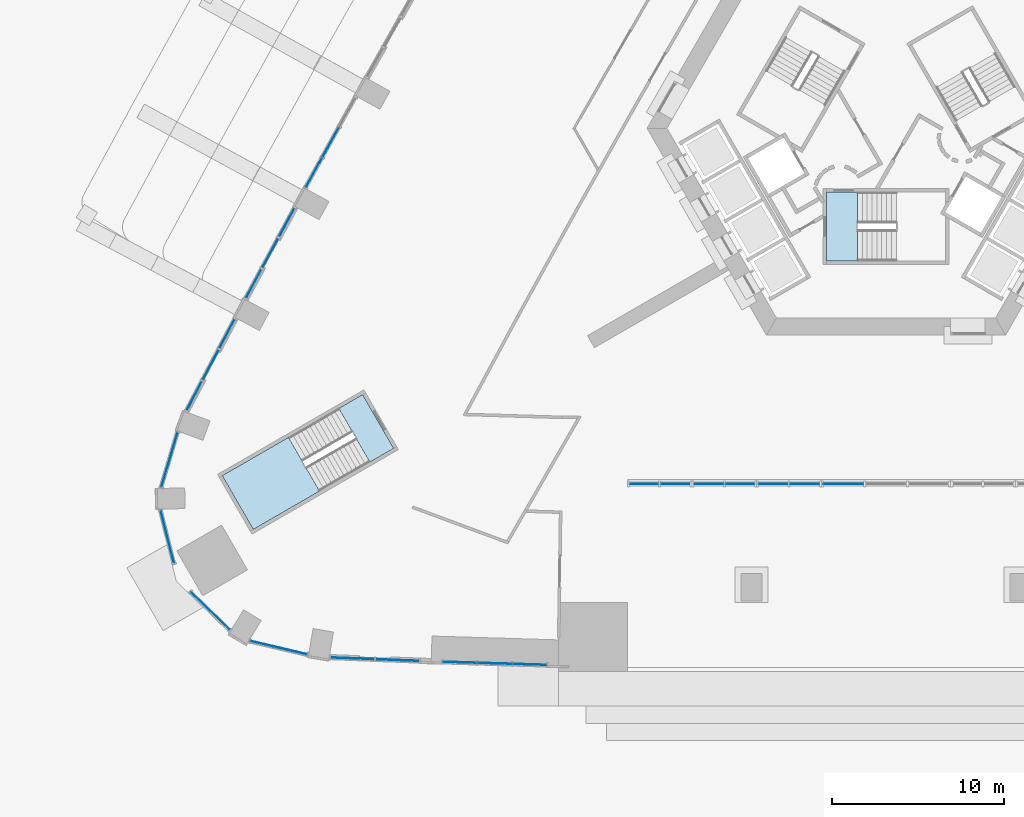
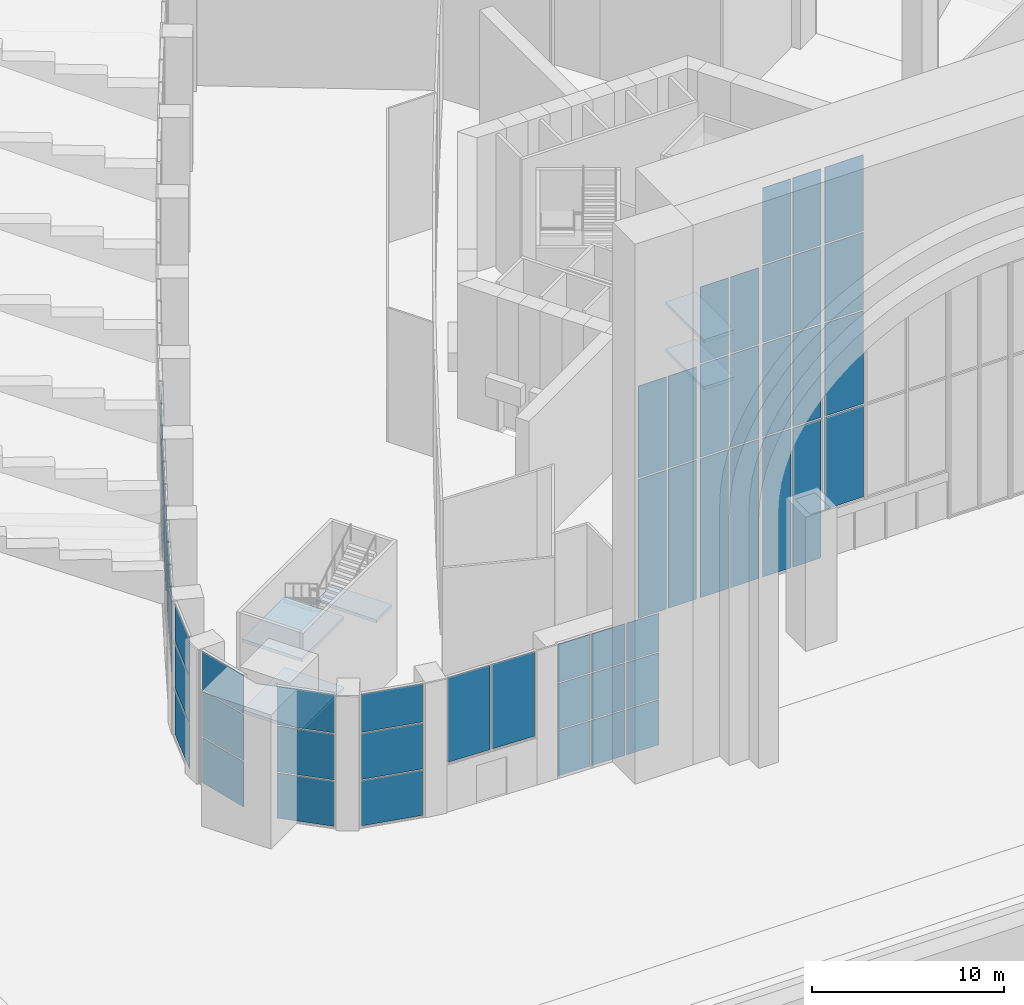
# One storey, part 10 of 36: 57 plates, 5 slabs, 15 elements without a shape of their own.
"""IFC4 building model written with IfcOpenShell, lengths in metres."""

from ifc_helpers import new_model, si_unit, direction, frame, origin, origin_2d, place, context, subcontext, project, spatial, polyline, rectangle, outline, extrude, material, layer, layer_set, type_object, element, aggregate, save


model = new_model("IFC4")

# Units and contexts
model_context = context("Model", 3, precision=1e-05, world=origin(), true_north=direction((0.0, 1.0)))
body_context = subcontext(model_context, "Body", "Model", "MODEL_VIEW")
ifc_project = project(units=[si_unit("LENGTHUNIT", "METRE"), si_unit("AREAUNIT", "SQUARE_METRE"), si_unit("VOLUMEUNIT", "CUBIC_METRE"), si_unit("PLANEANGLEUNIT", "RADIAN"), si_unit("MASSUNIT", "GRAM", prefix="KILO")], contexts=[model_context])

# Site, building, storey
site_placement = place(None, origin())
site = spatial("IfcSite", under=ifc_project, at=site_placement, CompositionType="ELEMENT")
building_placement = place(site_placement, origin())
building = spatial("IfcBuilding", under=site, at=building_placement, Name="Entoto Arch Interchange Tower", CompositionType="ELEMENT")
storey_placement = place(building_placement, origin())
storey = spatial("IfcBuildingStorey", under=building, at=storey_placement, Name="L00", CompositionType="ELEMENT", Elevation=0.0)

# Stair, slabs
ifc_material_1 = material(Name="Concrete C40/50", Category="concrete")
stair_type_1 = type_object("IfcStairType", Name="EXIT STAIR RC 1800", PredefinedType="HALF_TURN_STAIR", material=ifc_material_1)
stair_1_placement = place(storey_placement, origin())
stair_1 = element("IfcStair", 1, at=stair_1_placement, inside=storey, type_object=stair_type_1, Name="L00 Exit stair S", PredefinedType="HALF_TURN_STAIR")
ifc_layer_1 = layer(ifc_material_1, 0.199951171875)
ifc_layer_set_1 = layer_set([ifc_layer_1], Name="Concrete C40/50")
slab_type = type_object("IfcSlabType", Name="EXIT STAIR LANDING RC 200", PredefinedType="LANDING", material=ifc_layer_set_1)
slab_1_placement = place(storey_placement, frame((0.0, 0.0, 2.800048828125)))
slab_1 = element("IfcSlab", 2, at=slab_1_placement, type_object=slab_type, Name="ST-S landing 2", PredefinedType="LANDING", context=body_context, shape_type="SweptSolid", body=[
    extrude(outline(polyline([(-3.449951171875, -5.199951171875), (-1.64990234375, -5.199951171875), (-1.64990234375, -1.199951171875), (-3.449951171875, -1.199951171875), (-3.449951171875, -5.199951171875)])), origin(), (0.0, 0.0, 1.0), 0.199951171875),
])
slab_2_placement = place(storey_placement, frame((0.0, 0.0, 5.800048828125)))
slab_2 = element("IfcSlab", 3, at=slab_2_placement, type_object=slab_type, Name="ST-S landing 4", PredefinedType="LANDING", context=body_context, shape_type="SweptSolid", body=[
    extrude(outline(polyline([(-3.449951171875, -5.199951171875), (-1.64990234375, -5.199951171875), (-1.64990234375, -1.199951171875), (-3.449951171875, -1.199951171875), (-3.449951171875, -5.199951171875)])), origin(), (0.0, 0.0, 1.0), 0.199951171875),
])
aggregate(stair_1, [slab_1, slab_2])

stair_type_2 = type_object("IfcStairType", Name="PODIUM EXIT STAIR RC 1600", PredefinedType="HALF_TURN_STAIR", material=ifc_material_1)
stair_2_placement = place(storey_placement, origin())
stair_2 = element("IfcStair", 4, at=stair_2_placement, inside=storey, type_object=stair_type_2, Name="L00 Podium exit stair south-west", PredefinedType="HALF_TURN_STAIR")
slab_3_placement = place(storey_placement, frame((0.0, 0.0, 2.050048828125)))
slab_3 = element("IfcSlab", 5, at=slab_3_placement, type_object=slab_type, Name="PST-SW landing 1", PredefinedType="LANDING", context=body_context, shape_type="SweptSolid", body=[
    extrude(outline(polyline([(-34.640380859375, -15.421142578125), (-38.485595703125, -17.64111328125), (-36.685546875, -20.7587890625), (-32.84033203125, -18.538818359375), (-34.640380859375, -15.421142578125)])), origin(), (0.0, 0.0, 1.0), 0.199951171875),
])
slab_4_placement = place(storey_placement, frame((0.0, 0.0, 4.300048828125)))
slab_4 = element("IfcSlab", 6, at=slab_4_placement, type_object=slab_type, Name="PST-SW landing 2", PredefinedType="LANDING", context=body_context, shape_type="SweptSolid", body=[
    extrude(outline(polyline([(-30.344970703125, -12.941162109375), (-31.73046875, -13.7412109375), (-29.930419921875, -16.85888671875), (-28.544921875, -16.058837890625), (-30.344970703125, -12.941162109375)])), origin(), (0.0, 0.0, 1.0), 0.199951171875),
])
slab_5_placement = place(storey_placement, frame((0.0, 0.0, 6.550048828125)))
slab_5 = element("IfcSlab", 7, at=slab_5_placement, type_object=slab_type, Name="PST-SW landing 3", PredefinedType="LANDING", context=body_context, shape_type="SweptSolid", body=[
    extrude(outline(polyline([(-34.640380859375, -15.421142578125), (-38.485595703125, -17.64111328125), (-36.685546875, -20.7587890625), (-32.84033203125, -18.538818359375), (-34.640380859375, -15.421142578125)])), origin(), (0.0, 0.0, 1.0), 0.199951171875),
])
aggregate(stair_2, [slab_3, slab_4, slab_5])

# Curtain wall, plates
ifc_material_2 = material(Name="Aluminium, anodised", Category="aluminium")
curtain_wall_type_1 = type_object("IfcCurtainWallType", Name="CURTAIN WALL ARCH SCREEN", PredefinedType="NOTDEFINED", material=ifc_material_2)
curtain_wall_1_placement = place(storey_placement, origin())
curtain_wall_1 = element("IfcCurtainWall", 8, at=curtain_wall_1_placement, inside=storey, type_object=curtain_wall_type_1, Name="Arch screen glazing 1", PredefinedType="NOTDEFINED")
ifc_material_3 = material(Name="Clear glass, low-e double glazed", Category="glass")
ifc_layer_2 = layer(ifc_material_3, 0.035888671875)
ifc_layer_set_2 = layer_set([ifc_layer_2], Name="Clear glass, low-e double glazed")
plate_type_1 = type_object("IfcPlateType", Name="GLAZING PANEL ARCH SCREEN 36", PredefinedType="CURTAIN_PANEL", material=ifc_layer_set_2)
plate_1_placement = place(storey_placement, frame((-14.032470703125, -18.125, 0.099853515625), z_axis=(0.0, 0.0, 1.0), x_axis=(1.0, 0.0, 0.0)))
plate_1 = element("IfcPlate", 9, at=plate_1_placement, type_object=plate_type_1, Name="CWR panel 1.1", PredefinedType="CURTAIN_PANEL", context=body_context, shape_type="SweptSolid", body=[
    extrude(rectangle(XDim=1.695068359375, YDim=0.035888671875, at=origin_2d()), origin(), (0.0, 0.0, 1.0), 8.85009765625),
])
plate_2_placement = place(storey_placement, frame((-14.032470703125, -18.125, 9.050048828125), z_axis=(0.0, 0.0, 1.0), x_axis=(1.0, 0.0, 0.0)))
plate_2 = element("IfcPlate", 10, at=plate_2_placement, type_object=plate_type_1, Name="CWR panel 1.2", PredefinedType="CURTAIN_PANEL", context=body_context, shape_type="SweptSolid", body=[
    extrude(rectangle(XDim=1.695068359375, YDim=0.035888671875, at=origin_2d()), origin(), (0.0, 0.0, 1.0), 5.85009765625),
])
plate_3_placement = place(storey_placement, frame((-12.217529296875, -18.125, 0.099853515625), z_axis=(0.0, 0.0, 1.0), x_axis=(1.0, 0.0, 0.0)))
plate_3 = element("IfcPlate", 11, at=plate_3_placement, type_object=plate_type_1, Name="CWR panel 2.1", PredefinedType="CURTAIN_PANEL", context=body_context, shape_type="SweptSolid", body=[
    extrude(rectangle(XDim=1.695068359375, YDim=0.035888671875, at=origin_2d()), origin(), (0.0, 0.0, 1.0), 8.85009765625),
])
plate_4_placement = place(storey_placement, frame((-12.217529296875, -18.125, 9.050048828125), z_axis=(0.0, 0.0, 1.0), x_axis=(1.0, 0.0, 0.0)))
plate_4 = element("IfcPlate", 12, at=plate_4_placement, type_object=plate_type_1, Name="CWR panel 2.2", PredefinedType="CURTAIN_PANEL", context=body_context, shape_type="SweptSolid", body=[
    extrude(rectangle(XDim=1.695068359375, YDim=0.035888671875, at=origin_2d()), origin(), (0.0, 0.0, 1.0), 5.85009765625),
])
aggregate(curtain_wall_1, [plate_1, plate_2, plate_3, plate_4])

curtain_wall_2_placement = place(storey_placement, origin())
curtain_wall_2 = element("IfcCurtainWall", 13, at=curtain_wall_2_placement, inside=storey, type_object=curtain_wall_type_1, Name="Arch screen glazing 2", PredefinedType="NOTDEFINED")
plate_5_placement = place(storey_placement, frame((-10.282470703125, -18.125, 0.099853515625), z_axis=(0.0, 0.0, 1.0), x_axis=(1.0, 0.0, 0.0)))
plate_5 = element("IfcPlate", 14, at=plate_5_placement, type_object=plate_type_1, Name="CWR panel 1.1", PredefinedType="CURTAIN_PANEL", context=body_context, shape_type="SweptSolid", body=[
    extrude(rectangle(XDim=1.695068359375, YDim=0.035888671875, at=origin_2d()), origin(), (0.0, 0.0, 1.0), 8.85009765625),
])
plate_6_placement = place(storey_placement, frame((-10.282470703125, -18.125, 9.050048828125), z_axis=(0.0, 0.0, 1.0), x_axis=(1.0, 0.0, 0.0)))
plate_6 = element("IfcPlate", 15, at=plate_6_placement, type_object=plate_type_1, Name="CWR panel 1.2", PredefinedType="CURTAIN_PANEL", context=body_context, shape_type="SweptSolid", body=[
    extrude(rectangle(XDim=1.695068359375, YDim=0.035888671875, at=origin_2d()), origin(), (0.0, 0.0, 1.0), 5.89990234375),
])
plate_7_placement = place(storey_placement, frame((-10.282470703125, -18.125, 15.050048828125), z_axis=(0.0, 0.0, 1.0), x_axis=(1.0, 0.0, 0.0)))
plate_7 = element("IfcPlate", 16, at=plate_7_placement, type_object=plate_type_1, Name="CWR panel 1.3", PredefinedType="CURTAIN_PANEL", context=body_context, shape_type="SweptSolid", body=[
    extrude(rectangle(XDim=1.695068359375, YDim=0.035888671875, at=origin_2d()), origin(), (0.0, 0.0, 1.0), 4.85009765625),
])
plate_8_placement = place(storey_placement, frame((-8.467529296875, -18.125, 0.099853515625), z_axis=(0.0, 0.0, 1.0), x_axis=(1.0, 0.0, 0.0)))
plate_8 = element("IfcPlate", 17, at=plate_8_placement, type_object=plate_type_1, Name="CWR panel 2.1", PredefinedType="CURTAIN_PANEL", context=body_context, shape_type="SweptSolid", body=[
    extrude(rectangle(XDim=1.695068359375, YDim=0.035888671875, at=origin_2d()), origin(), (0.0, 0.0, 1.0), 8.85009765625),
])
plate_9_placement = place(storey_placement, frame((-8.467529296875, -18.125, 9.050048828125), z_axis=(0.0, 0.0, 1.0), x_axis=(1.0, 0.0, 0.0)))
plate_9 = element("IfcPlate", 18, at=plate_9_placement, type_object=plate_type_1, Name="CWR panel 2.2", PredefinedType="CURTAIN_PANEL", context=body_context, shape_type="SweptSolid", body=[
    extrude(rectangle(XDim=1.695068359375, YDim=0.035888671875, at=origin_2d()), origin(), (0.0, 0.0, 1.0), 5.89990234375),
])
plate_10_placement = place(storey_placement, frame((-8.467529296875, -18.125, 15.050048828125), z_axis=(0.0, 0.0, 1.0), x_axis=(1.0, 0.0, 0.0)))
plate_10 = element("IfcPlate", 19, at=plate_10_placement, type_object=plate_type_1, Name="CWR panel 2.3", PredefinedType="CURTAIN_PANEL", context=body_context, shape_type="SweptSolid", body=[
    extrude(rectangle(XDim=1.695068359375, YDim=0.035888671875, at=origin_2d()), origin(), (0.0, 0.0, 1.0), 4.85009765625),
])
aggregate(curtain_wall_2, [plate_5, plate_6, plate_7, plate_8, plate_9, plate_10])

curtain_wall_3_placement = place(storey_placement, origin())
curtain_wall_3 = element("IfcCurtainWall", 20, at=curtain_wall_3_placement, inside=storey, type_object=curtain_wall_type_1, Name="Arch screen glazing 3", PredefinedType="NOTDEFINED")
plate_11_placement = place(storey_placement, frame((-6.532470703125, -18.125, 0.099853515625), z_axis=(0.0, 0.0, 1.0), x_axis=(1.0, 0.0, 0.0)))
plate_11 = element("IfcPlate", 21, at=plate_11_placement, type_object=plate_type_1, Name="CWR panel 1.1", PredefinedType="CURTAIN_PANEL", context=body_context, shape_type="SweptSolid", body=[
    extrude(rectangle(XDim=1.695068359375, YDim=0.035888671875, at=origin_2d()), origin(), (0.0, 0.0, 1.0), 8.85009765625),
])
plate_12_placement = place(storey_placement, frame((-6.532470703125, -18.125, 9.050048828125), z_axis=(0.0, 0.0, 1.0), x_axis=(1.0, 0.0, 0.0)))
plate_12 = element("IfcPlate", 22, at=plate_12_placement, type_object=plate_type_1, Name="CWR panel 1.2", PredefinedType="CURTAIN_PANEL", context=body_context, shape_type="SweptSolid", body=[
    extrude(rectangle(XDim=1.695068359375, YDim=0.035888671875, at=origin_2d()), origin(), (0.0, 0.0, 1.0), 5.89990234375),
])
plate_13_placement = place(storey_placement, frame((-6.532470703125, -18.125, 15.050048828125), z_axis=(0.0, 0.0, 1.0), x_axis=(1.0, 0.0, 0.0)))
plate_13 = element("IfcPlate", 23, at=plate_13_placement, type_object=plate_type_1, Name="CWR panel 1.3", PredefinedType="CURTAIN_PANEL", context=body_context, shape_type="SweptSolid", body=[
    extrude(rectangle(XDim=1.695068359375, YDim=0.035888671875, at=origin_2d()), origin(), (0.0, 0.0, 1.0), 4.89990234375),
])
plate_14_placement = place(storey_placement, frame((-6.532470703125, -18.125, 20.050048828125), z_axis=(0.0, 0.0, 1.0), x_axis=(1.0, 0.0, 0.0)))
plate_14 = element("IfcPlate", 24, at=plate_14_placement, type_object=plate_type_1, Name="CWR panel 1.4", PredefinedType="CURTAIN_PANEL", context=body_context, shape_type="SweptSolid", body=[
    extrude(rectangle(XDim=1.695068359375, YDim=0.035888671875, at=origin_2d()), origin(), (0.0, 0.0, 1.0), 4.85009765625),
])
plate_15_placement = place(storey_placement, frame((-4.717529296875, -18.125, 0.099853515625), z_axis=(0.0, 0.0, 1.0), x_axis=(1.0, 0.0, 0.0)))
plate_15 = element("IfcPlate", 25, at=plate_15_placement, type_object=plate_type_1, Name="CWR panel 2.1", PredefinedType="CURTAIN_PANEL", context=body_context, shape_type="SweptSolid", body=[
    extrude(rectangle(XDim=1.695068359375, YDim=0.035888671875, at=origin_2d()), origin(), (0.0, 0.0, 1.0), 8.85009765625),
])
plate_16_placement = place(storey_placement, frame((-4.717529296875, -18.125, 9.050048828125), z_axis=(0.0, 0.0, 1.0), x_axis=(1.0, 0.0, 0.0)))
plate_16 = element("IfcPlate", 26, at=plate_16_placement, type_object=plate_type_1, Name="CWR panel 2.2", PredefinedType="CURTAIN_PANEL", context=body_context, shape_type="SweptSolid", body=[
    extrude(rectangle(XDim=1.695068359375, YDim=0.035888671875, at=origin_2d()), origin(), (0.0, 0.0, 1.0), 5.89990234375),
])
plate_17_placement = place(storey_placement, frame((-4.717529296875, -18.125, 15.050048828125), z_axis=(0.0, 0.0, 1.0), x_axis=(1.0, 0.0, 0.0)))
plate_17 = element("IfcPlate", 27, at=plate_17_placement, type_object=plate_type_1, Name="CWR panel 2.3", PredefinedType="CURTAIN_PANEL", context=body_context, shape_type="SweptSolid", body=[
    extrude(rectangle(XDim=1.695068359375, YDim=0.035888671875, at=origin_2d()), origin(), (0.0, 0.0, 1.0), 4.89990234375),
])
plate_18_placement = place(storey_placement, frame((-4.717529296875, -18.125, 20.050048828125), z_axis=(0.0, 0.0, 1.0), x_axis=(1.0, 0.0, 0.0)))
plate_18 = element("IfcPlate", 28, at=plate_18_placement, type_object=plate_type_1, Name="CWR panel 2.4", PredefinedType="CURTAIN_PANEL", context=body_context, shape_type="SweptSolid", body=[
    extrude(rectangle(XDim=1.695068359375, YDim=0.035888671875, at=origin_2d()), origin(), (0.0, 0.0, 1.0), 4.85009765625),
])
aggregate(curtain_wall_3, [plate_11, plate_12, plate_13, plate_14, plate_15, plate_16, plate_17, plate_18])

curtain_wall_4_placement = place(storey_placement, origin())
curtain_wall_4 = element("IfcCurtainWall", 29, at=curtain_wall_4_placement, inside=storey, type_object=curtain_wall_type_1, Name="Arch entrance glazing", PredefinedType="NOTDEFINED")
plate_19_placement = place(storey_placement, frame((-2.469970703125, -18.125, 3.099853515625), z_axis=(0.0, 0.0, 1.0), x_axis=(1.0, 0.0, 0.0)))
plate_19 = element("IfcPlate", 30, at=plate_19_placement, type_object=plate_type_1, Name="CWR panel 1.1", PredefinedType="CURTAIN_PANEL", context=body_context, shape_type="SweptSolid", body=[
    extrude(rectangle(XDim=2.320068359375, YDim=0.035888671875, at=origin_2d()), origin(), (0.0, 0.0, 1.0), 5.85009765625),
])
plate_20_placement = place(storey_placement, frame((-2.469970703125, -18.125, 9.050048828125), z_axis=(0.0, 0.0, 1.0), x_axis=(1.0, 0.0, 0.0)))
plate_20 = element("IfcPlate", 31, at=plate_20_placement, type_object=plate_type_1, Name="CWR panel 1.2", PredefinedType="CURTAIN_PANEL", context=body_context, shape_type="SweptSolid", body=[
    extrude(rectangle(XDim=2.320068359375, YDim=0.035888671875, at=origin_2d()), origin(), (0.0, 0.0, 1.0), 5.89990234375),
])
plate_21_placement = place(storey_placement, frame((-2.469970703125, -18.125, 15.050048828125), z_axis=(0.0, 0.0, 1.0), x_axis=(1.0, 0.0, 0.0)))
plate_21 = element("IfcPlate", 32, at=plate_21_placement, type_object=plate_type_1, Name="CWR panel 1.3", PredefinedType="CURTAIN_PANEL", context=body_context, shape_type="SweptSolid", body=[
    extrude(rectangle(XDim=2.320068359375, YDim=0.035888671875, at=origin_2d()), origin(), (0.0, 0.0, 1.0), 4.89990234375),
])
plate_22_placement = place(storey_placement, frame((-2.469970703125, -18.125, 20.050048828125), z_axis=(0.0, 0.0, 1.0), x_axis=(1.0, 0.0, 0.0)))
plate_22 = element("IfcPlate", 33, at=plate_22_placement, type_object=plate_type_1, Name="CWR panel 1.4", PredefinedType="CURTAIN_PANEL", context=body_context, shape_type="SweptSolid", body=[
    extrude(rectangle(XDim=2.320068359375, YDim=0.035888671875, at=origin_2d()), origin(), (0.0, 0.0, 1.0), 4.85009765625),
])
aggregate(curtain_wall_4, [plate_19, plate_20, plate_21, plate_22])

curtain_wall_type_2 = type_object("IfcCurtainWallType", Name="CURTAIN WALL GATE HALL", PredefinedType="NOTDEFINED", material=ifc_material_2)
curtain_wall_5_placement = place(storey_placement, origin())
curtain_wall_5 = element("IfcCurtainWall", 34, at=curtain_wall_5_placement, inside=storey, type_object=curtain_wall_type_2, Name="Gate Hall glazing S-01 L00", PredefinedType="NOTDEFINED")
ifc_layer_3 = layer(ifc_material_3, 0.030029296875)
ifc_layer_set_3 = layer_set([ifc_layer_3], Name="Clear glass, low-e double glazed")
plate_type_2 = type_object("IfcPlateType", Name="GLAZING PANEL GATE HALL 30", PredefinedType="CURTAIN_PANEL", material=ifc_layer_set_3)
plate_23_placement = place(storey_placement, frame((-30.931640625, -28.236083984375, 3.080078125), z_axis=(0.0, 0.0, 1.0), x_axis=(0.999233683462, -0.039141357085, 0.0)))
plate_23 = element("IfcPlate", 35, at=plate_23_placement, type_object=plate_type_2, Name="CWG panel 1.1", PredefinedType="CURTAIN_PANEL", context=body_context, shape_type="SweptSolid", body=[
    extrude(rectangle(XDim=2.507080078125, YDim=0.030029296875, at=origin_2d()), origin(), (0.0, 0.0, 1.0), 5.389892578125),
])
plate_24_placement = place(storey_placement, frame((-28.326416015625, -28.338134765625, 3.080078125), z_axis=(0.0, 0.0, 1.0), x_axis=(0.999233683462, -0.039141357085, 0.0)))
plate_24 = element("IfcPlate", 36, at=plate_24_placement, type_object=plate_type_2, Name="CWG panel 2.1", PredefinedType="CURTAIN_PANEL", context=body_context, shape_type="SweptSolid", body=[
    extrude(rectangle(XDim=2.507080078125, YDim=0.030029296875, at=origin_2d()), origin(), (0.0, 0.0, 1.0), 5.389892578125),
])
aggregate(curtain_wall_5, [plate_23, plate_24])

curtain_wall_6_placement = place(storey_placement, origin())
curtain_wall_6 = element("IfcCurtainWall", 37, at=curtain_wall_6_placement, inside=storey, type_object=curtain_wall_type_2, Name="Gate Hall glazing S-02 L00", PredefinedType="NOTDEFINED")
plate_25_placement = place(storey_placement, frame((-24.71826171875, -28.46484375, 0.080078125), z_axis=(0.0, 0.0, 1.0), x_axis=(0.999546363759, -0.030117547985, 0.0)))
plate_25 = element("IfcPlate", 38, at=plate_25_placement, type_object=plate_type_2, Name="CWG panel 1.1", PredefinedType="CURTAIN_PANEL", context=body_context, shape_type="SweptSolid", body=[
    extrude(rectangle(XDim=1.90869140625, YDim=0.030029296875, at=origin_2d()), origin(), (0.0, 0.0, 1.0), 2.8798828125),
])
plate_26_placement = place(storey_placement, frame((-24.71826171875, -28.46484375, 3.0400390625), z_axis=(0.0, 0.0, 1.0), x_axis=(0.999546363759, -0.030117547985, 0.0)))
plate_26 = element("IfcPlate", 39, at=plate_26_placement, type_object=plate_type_2, Name="CWG panel 1.2", PredefinedType="CURTAIN_PANEL", context=body_context, shape_type="SweptSolid", body=[
    extrude(rectangle(XDim=1.90869140625, YDim=0.030029296875, at=origin_2d()), origin(), (0.0, 0.0, 1.0), 2.919921875),
])
plate_27_placement = place(storey_placement, frame((-24.71826171875, -28.46484375, 6.0400390625), z_axis=(0.0, 0.0, 1.0), x_axis=(0.999546363759, -0.030117547985, 0.0)))
plate_27 = element("IfcPlate", 40, at=plate_27_placement, type_object=plate_type_2, Name="CWG panel 1.3", PredefinedType="CURTAIN_PANEL", context=body_context, shape_type="SweptSolid", body=[
    extrude(rectangle(XDim=1.90869140625, YDim=0.030029296875, at=origin_2d()), origin(), (0.0, 0.0, 1.0), 2.429931640625),
])
plate_28_placement = place(storey_placement, frame((-22.685546875, -28.52587890625, 0.080078125), z_axis=(0.0, 0.0, 1.0), x_axis=(0.999546363759, -0.030117547985, 0.0)))
plate_28 = element("IfcPlate", 41, at=plate_28_placement, type_object=plate_type_2, Name="CWG panel 2.1", PredefinedType="CURTAIN_PANEL", context=body_context, shape_type="SweptSolid", body=[
    extrude(rectangle(XDim=1.95849609375, YDim=0.030029296875, at=origin_2d()), origin(), (0.0, 0.0, 1.0), 2.8798828125),
])
plate_29_placement = place(storey_placement, frame((-22.685546875, -28.52587890625, 3.0400390625), z_axis=(0.0, 0.0, 1.0), x_axis=(0.999546363759, -0.030117547985, 0.0)))
plate_29 = element("IfcPlate", 42, at=plate_29_placement, type_object=plate_type_2, Name="CWG panel 2.2", PredefinedType="CURTAIN_PANEL", context=body_context, shape_type="SweptSolid", body=[
    extrude(rectangle(XDim=1.95849609375, YDim=0.030029296875, at=origin_2d()), origin(), (0.0, 0.0, 1.0), 2.919921875),
])
plate_30_placement = place(storey_placement, frame((-22.685546875, -28.52587890625, 6.0400390625), z_axis=(0.0, 0.0, 1.0), x_axis=(0.999546363759, -0.030117547985, 0.0)))
plate_30 = element("IfcPlate", 43, at=plate_30_placement, type_object=plate_type_2, Name="CWG panel 2.3", PredefinedType="CURTAIN_PANEL", context=body_context, shape_type="SweptSolid", body=[
    extrude(rectangle(XDim=1.95849609375, YDim=0.030029296875, at=origin_2d()), origin(), (0.0, 0.0, 1.0), 2.429931640625),
])
plate_31_placement = place(storey_placement, frame((-20.65283203125, -28.587158203125, 0.080078125), z_axis=(0.0, 0.0, 1.0), x_axis=(0.999546363759, -0.030117547985, 0.0)))
plate_31 = element("IfcPlate", 44, at=plate_31_placement, type_object=plate_type_2, Name="CWG panel 3.1", PredefinedType="CURTAIN_PANEL", context=body_context, shape_type="SweptSolid", body=[
    extrude(rectangle(XDim=1.90869140625, YDim=0.030029296875, at=origin_2d()), origin(), (0.0, 0.0, 1.0), 2.8798828125),
])
plate_32_placement = place(storey_placement, frame((-20.65283203125, -28.587158203125, 3.0400390625), z_axis=(0.0, 0.0, 1.0), x_axis=(0.999546363759, -0.030117547985, 0.0)))
plate_32 = element("IfcPlate", 45, at=plate_32_placement, type_object=plate_type_2, Name="CWG panel 3.2", PredefinedType="CURTAIN_PANEL", context=body_context, shape_type="SweptSolid", body=[
    extrude(rectangle(XDim=1.90869140625, YDim=0.030029296875, at=origin_2d()), origin(), (0.0, 0.0, 1.0), 2.919921875),
])
plate_33_placement = place(storey_placement, frame((-20.65283203125, -28.587158203125, 6.0400390625), z_axis=(0.0, 0.0, 1.0), x_axis=(0.999546363759, -0.030117547985, 0.0)))
plate_33 = element("IfcPlate", 46, at=plate_33_placement, type_object=plate_type_2, Name="CWG panel 3.3", PredefinedType="CURTAIN_PANEL", context=body_context, shape_type="SweptSolid", body=[
    extrude(rectangle(XDim=1.90869140625, YDim=0.030029296875, at=origin_2d()), origin(), (0.0, 0.0, 1.0), 2.429931640625),
])
aggregate(curtain_wall_6, [plate_25, plate_26, plate_27, plate_28, plate_29, plate_30, plate_31, plate_32, plate_33])

curtain_wall_7_placement = place(storey_placement, origin())
curtain_wall_7 = element("IfcCurtainWall", 47, at=curtain_wall_7_placement, inside=storey, type_object=curtain_wall_type_2, Name="Gate Hall glazing NW-07 L00", PredefinedType="NOTDEFINED")
plate_34_placement = place(storey_placement, frame((-32.195068359375, 1.685546875, 0.080078125), z_axis=(0.0, 0.0, 1.0), x_axis=(-0.483267495036, -0.875472745573, 0.0)))
plate_34 = element("IfcPlate", 48, at=plate_34_placement, type_object=plate_type_2, Name="CWG panel 2.1", PredefinedType="CURTAIN_PANEL", context=body_context, shape_type="SweptSolid", body=[
    extrude(rectangle(XDim=1.93896484375, YDim=0.030029296875, at=origin_2d()), origin(), (0.0, 0.0, 1.0), 2.8798828125),
])
plate_35_placement = place(storey_placement, frame((-32.195068359375, 1.685546875, 3.0400390625), z_axis=(0.0, 0.0, 1.0), x_axis=(-0.483267495036, -0.875472745573, 0.0)))
plate_35 = element("IfcPlate", 49, at=plate_35_placement, type_object=plate_type_2, Name="CWG panel 2.2", PredefinedType="CURTAIN_PANEL", context=body_context, shape_type="SweptSolid", body=[
    extrude(rectangle(XDim=1.93896484375, YDim=0.030029296875, at=origin_2d()), origin(), (0.0, 0.0, 1.0), 2.919921875),
])
plate_36_placement = place(storey_placement, frame((-32.195068359375, 1.685546875, 6.0400390625), z_axis=(0.0, 0.0, 1.0), x_axis=(-0.483267495036, -0.875472745573, 0.0)))
plate_36 = element("IfcPlate", 50, at=plate_36_placement, type_object=plate_type_2, Name="CWG panel 2.3", PredefinedType="CURTAIN_PANEL", context=body_context, shape_type="SweptSolid", body=[
    extrude(rectangle(XDim=1.93896484375, YDim=0.030029296875, at=origin_2d()), origin(), (0.0, 0.0, 1.0), 2.429931640625),
])
plate_37_placement = place(storey_placement, frame((-33.168212890625, -0.07763671875, 0.080078125), z_axis=(0.0, 0.0, 1.0), x_axis=(-0.483267495036, -0.875472745573, 0.0)))
plate_37 = element("IfcPlate", 51, at=plate_37_placement, type_object=plate_type_2, Name="CWG panel 3.1", PredefinedType="CURTAIN_PANEL", context=body_context, shape_type="SweptSolid", body=[
    extrude(rectangle(XDim=1.888916015625, YDim=0.030029296875, at=origin_2d()), origin(), (0.0, 0.0, 1.0), 2.8798828125),
])
plate_38_placement = place(storey_placement, frame((-33.168212890625, -0.07763671875, 3.0400390625), z_axis=(0.0, 0.0, 1.0), x_axis=(-0.483267495036, -0.875472745573, 0.0)))
plate_38 = element("IfcPlate", 52, at=plate_38_placement, type_object=plate_type_2, Name="CWG panel 3.2", PredefinedType="CURTAIN_PANEL", context=body_context, shape_type="SweptSolid", body=[
    extrude(rectangle(XDim=1.888916015625, YDim=0.030029296875, at=origin_2d()), origin(), (0.0, 0.0, 1.0), 2.919921875),
])
plate_39_placement = place(storey_placement, frame((-33.168212890625, -0.07763671875, 6.0400390625), z_axis=(0.0, 0.0, 1.0), x_axis=(-0.483267495036, -0.875472745573, 0.0)))
plate_39 = element("IfcPlate", 53, at=plate_39_placement, type_object=plate_type_2, Name="CWG panel 3.3", PredefinedType="CURTAIN_PANEL", context=body_context, shape_type="SweptSolid", body=[
    extrude(rectangle(XDim=1.888916015625, YDim=0.030029296875, at=origin_2d()), origin(), (0.0, 0.0, 1.0), 2.429931640625),
])
aggregate(curtain_wall_7, [plate_34, plate_35, plate_36, plate_37, plate_38, plate_39])

curtain_wall_8_placement = place(storey_placement, origin())
curtain_wall_8 = element("IfcCurtainWall", 54, at=curtain_wall_8_placement, inside=storey, type_object=curtain_wall_type_2, Name="Gate Hall glazing NW-08 L00", PredefinedType="NOTDEFINED")
plate_40_placement = place(storey_placement, frame((-34.74462890625, -2.966552734375, 3.080078125), z_axis=(0.0, 0.0, 1.0), x_axis=(-0.474528665706, -0.880240049886, 0.0)))
plate_40 = element("IfcPlate", 55, at=plate_40_placement, type_object=plate_type_2, Name="CWG panel 1.1", PredefinedType="CURTAIN_PANEL", context=body_context, shape_type="SweptSolid", body=[
    extrude(rectangle(XDim=1.88916015625, YDim=0.030029296875, at=origin_2d()), origin(), (0.0, 0.0, 1.0), 5.389892578125),
])
plate_41_placement = place(storey_placement, frame((-35.700439453125, -4.739501953125, 3.080078125), z_axis=(0.0, 0.0, 1.0), x_axis=(-0.474528665706, -0.880240049886, 0.0)))
plate_41 = element("IfcPlate", 56, at=plate_41_placement, type_object=plate_type_2, Name="CWG panel 2.1", PredefinedType="CURTAIN_PANEL", context=body_context, shape_type="SweptSolid", body=[
    extrude(rectangle(XDim=1.939208984375, YDim=0.030029296875, at=origin_2d()), origin(), (0.0, 0.0, 1.0), 5.389892578125),
])
plate_42_placement = place(storey_placement, frame((-36.65625, -6.512451171875, 3.080078125), z_axis=(0.0, 0.0, 1.0), x_axis=(-0.474528665706, -0.880240049886, 0.0)))
plate_42 = element("IfcPlate", 57, at=plate_42_placement, type_object=plate_type_2, Name="CWG panel 3.1", PredefinedType="CURTAIN_PANEL", context=body_context, shape_type="SweptSolid", body=[
    extrude(rectangle(XDim=1.88916015625, YDim=0.030029296875, at=origin_2d()), origin(), (0.0, 0.0, 1.0), 5.389892578125),
])
aggregate(curtain_wall_8, [plate_40, plate_41, plate_42])

curtain_wall_9_placement = place(storey_placement, origin())
curtain_wall_9 = element("IfcCurtainWall", 58, at=curtain_wall_9_placement, inside=storey, type_object=curtain_wall_type_2, Name="Gate Hall glazing NW-09 L00", PredefinedType="NOTDEFINED")
plate_43_placement = place(storey_placement, frame((-38.208251953125, -9.423828125, 3.080078125), z_axis=(0.0, 0.0, 1.0), x_axis=(-0.46606744152, -0.884749196075, 0.0)))
plate_43 = element("IfcPlate", 59, at=plate_43_placement, type_object=plate_type_2, Name="CWG panel 1.1", PredefinedType="CURTAIN_PANEL", context=body_context, shape_type="SweptSolid", body=[
    extrude(rectangle(XDim=1.904052734375, YDim=0.030029296875, at=origin_2d()), origin(), (0.0, 0.0, 1.0), 5.389892578125),
])
plate_44_placement = place(storey_placement, frame((-39.154052734375, -11.218994140625, 3.080078125), z_axis=(0.0, 0.0, 1.0), x_axis=(-0.46606744152, -0.884749196075, 0.0)))
plate_44 = element("IfcPlate", 60, at=plate_44_placement, type_object=plate_type_2, Name="CWG panel 2.1", PredefinedType="CURTAIN_PANEL", context=body_context, shape_type="SweptSolid", body=[
    extrude(rectangle(XDim=1.9541015625, YDim=0.030029296875, at=origin_2d()), origin(), (0.0, 0.0, 1.0), 5.389892578125),
])
plate_45_placement = place(storey_placement, frame((-40.099609375, -13.01416015625, 3.080078125), z_axis=(0.0, 0.0, 1.0), x_axis=(-0.46606744152, -0.884749196075, 0.0)))
plate_45 = element("IfcPlate", 61, at=plate_45_placement, type_object=plate_type_2, Name="CWG panel 3.1", PredefinedType="CURTAIN_PANEL", context=body_context, shape_type="SweptSolid", body=[
    extrude(rectangle(XDim=1.904052734375, YDim=0.030029296875, at=origin_2d()), origin(), (0.0, 0.0, 1.0), 5.389892578125),
])
aggregate(curtain_wall_9, [plate_43, plate_44, plate_45])

curtain_wall_10_placement = place(storey_placement, origin())
curtain_wall_10 = element("IfcCurtainWall", 62, at=curtain_wall_10_placement, inside=storey, type_object=curtain_wall_type_2, Name="Gate Hall glazing SW-01 L00", PredefinedType="NOTDEFINED")
plate_46_placement = place(storey_placement, frame((-41.54052734375, -16.719482421875, 0.080078125), z_axis=(0.0, 0.0, 1.0), x_axis=(-0.285786537329, -0.958293303264, 0.0)))
plate_46 = element("IfcPlate", 63, at=plate_46_placement, type_object=plate_type_2, Name="CWG panel 1.1", PredefinedType="CURTAIN_PANEL", context=body_context, shape_type="SweptSolid", body=[
    extrude(rectangle(XDim=3.267578125, YDim=0.030029296875, at=origin_2d()), origin(), (0.0, 0.0, 1.0), 2.8798828125),
])
plate_47_placement = place(storey_placement, frame((-41.54052734375, -16.719482421875, 3.0400390625), z_axis=(0.0, 0.0, 1.0), x_axis=(-0.285786537329, -0.958293303264, 0.0)))
plate_47 = element("IfcPlate", 64, at=plate_47_placement, type_object=plate_type_2, Name="CWG panel 1.2", PredefinedType="CURTAIN_PANEL", context=body_context, shape_type="SweptSolid", body=[
    extrude(rectangle(XDim=3.267578125, YDim=0.030029296875, at=origin_2d()), origin(), (0.0, 0.0, 1.0), 2.919921875),
])
plate_48_placement = place(storey_placement, frame((-41.54052734375, -16.719482421875, 6.0400390625), z_axis=(0.0, 0.0, 1.0), x_axis=(-0.285786537329, -0.958293303264, 0.0)))
plate_48 = element("IfcPlate", 65, at=plate_48_placement, type_object=plate_type_2, Name="CWG panel 1.3", PredefinedType="CURTAIN_PANEL", context=body_context, shape_type="SweptSolid", body=[
    extrude(rectangle(XDim=3.267578125, YDim=0.030029296875, at=origin_2d()), origin(), (0.0, 0.0, 1.0), 2.429931640625),
])
aggregate(curtain_wall_10, [plate_46, plate_47, plate_48])

curtain_wall_11_placement = place(storey_placement, origin())
curtain_wall_11 = element("IfcCurtainWall", 66, at=curtain_wall_11_placement, inside=storey, type_object=curtain_wall_type_2, Name="Gate Hall glazing SW-02 L00", PredefinedType="NOTDEFINED")
plate_49_placement = place(storey_placement, frame((-41.666015625, -21.1845703125, 0.080078125), z_axis=(0.0, 0.0, 1.0), x_axis=(0.244174753037, -0.969731246263, 0.0)))
plate_49 = element("IfcPlate", 67, at=plate_49_placement, type_object=plate_type_2, Name="CWG panel 1.1", PredefinedType="CURTAIN_PANEL", context=body_context, shape_type="SweptSolid", body=[
    extrude(rectangle(XDim=3.100830078125, YDim=0.030029296875, at=origin_2d()), origin(), (0.0, 0.0, 1.0), 2.8798828125),
])
plate_50_placement = place(storey_placement, frame((-41.666015625, -21.1845703125, 3.0400390625), z_axis=(0.0, 0.0, 1.0), x_axis=(0.244174753037, -0.969731246263, 0.0)))
plate_50 = element("IfcPlate", 68, at=plate_50_placement, type_object=plate_type_2, Name="CWG panel 1.2", PredefinedType="CURTAIN_PANEL", context=body_context, shape_type="SweptSolid", body=[
    extrude(rectangle(XDim=3.100830078125, YDim=0.030029296875, at=origin_2d()), origin(), (0.0, 0.0, 1.0), 2.919921875),
])
plate_51_placement = place(storey_placement, frame((-41.666015625, -21.1845703125, 6.0400390625), z_axis=(0.0, 0.0, 1.0), x_axis=(0.244174753037, -0.969731246263, 0.0)))
plate_51 = element("IfcPlate", 69, at=plate_51_placement, type_object=plate_type_2, Name="CWG panel 1.3", PredefinedType="CURTAIN_PANEL", context=body_context, shape_type="SweptSolid", body=[
    extrude(rectangle(XDim=3.100830078125, YDim=0.030029296875, at=origin_2d()), origin(), (0.0, 0.0, 1.0), 2.429931640625),
])
aggregate(curtain_wall_11, [plate_49, plate_50, plate_51])

curtain_wall_12_placement = place(storey_placement, origin())
curtain_wall_12 = element("IfcCurtainWall", 70, at=curtain_wall_12_placement, inside=storey, type_object=curtain_wall_type_2, Name="Gate Hall glazing SW-03 L00", PredefinedType="NOTDEFINED")
plate_52_placement = place(storey_placement, frame((-39.179443359375, -25.491455078125, 0.080078125), z_axis=(0.0, 0.0, 1.0), x_axis=(0.717629670628, -0.696424910406, 0.0)))
plate_52 = element("IfcPlate", 71, at=plate_52_placement, type_object=plate_type_2, Name="CWG panel 1.1", PredefinedType="CURTAIN_PANEL", context=body_context, shape_type="SweptSolid", body=[
    extrude(rectangle(XDim=3.10107421875, YDim=0.030029296875, at=origin_2d()), origin(), (0.0, 0.0, 1.0), 2.8798828125),
])
plate_53_placement = place(storey_placement, frame((-39.179443359375, -25.491455078125, 3.0400390625), z_axis=(0.0, 0.0, 1.0), x_axis=(0.717629670628, -0.696424910406, 0.0)))
plate_53 = element("IfcPlate", 72, at=plate_53_placement, type_object=plate_type_2, Name="CWG panel 1.2", PredefinedType="CURTAIN_PANEL", context=body_context, shape_type="SweptSolid", body=[
    extrude(rectangle(XDim=3.10107421875, YDim=0.030029296875, at=origin_2d()), origin(), (0.0, 0.0, 1.0), 2.919921875),
])
plate_54_placement = place(storey_placement, frame((-39.179443359375, -25.491455078125, 6.0400390625), z_axis=(0.0, 0.0, 1.0), x_axis=(0.717629670628, -0.696424910406, 0.0)))
plate_54 = element("IfcPlate", 73, at=plate_54_placement, type_object=plate_type_2, Name="CWG panel 1.3", PredefinedType="CURTAIN_PANEL", context=body_context, shape_type="SweptSolid", body=[
    extrude(rectangle(XDim=3.10107421875, YDim=0.030029296875, at=origin_2d()), origin(), (0.0, 0.0, 1.0), 2.429931640625),
])
aggregate(curtain_wall_12, [plate_52, plate_53, plate_54])

curtain_wall_13_placement = place(storey_placement, origin())
curtain_wall_13 = element("IfcCurtainWall", 74, at=curtain_wall_13_placement, inside=storey, type_object=curtain_wall_type_2, Name="Gate Hall glazing SW-04 L00", PredefinedType="NOTDEFINED")
plate_55_placement = place(storey_placement, frame((-35.20556640625, -27.617431640625, 0.080078125), z_axis=(0.0, 0.0, 1.0), x_axis=(0.973597742575, -0.228270531722, 0.0)))
plate_55 = element("IfcPlate", 75, at=plate_55_placement, type_object=plate_type_2, Name="CWG panel 1.1", PredefinedType="CURTAIN_PANEL", context=body_context, shape_type="SweptSolid", body=[
    extrude(rectangle(XDim=3.352783203125, YDim=0.030029296875, at=origin_2d()), origin(), (0.0, 0.0, 1.0), 2.8798828125),
])
plate_56_placement = place(storey_placement, frame((-35.20556640625, -27.617431640625, 3.0400390625), z_axis=(0.0, 0.0, 1.0), x_axis=(0.973597742575, -0.228270531722, 0.0)))
plate_56 = element("IfcPlate", 76, at=plate_56_placement, type_object=plate_type_2, Name="CWG panel 1.2", PredefinedType="CURTAIN_PANEL", context=body_context, shape_type="SweptSolid", body=[
    extrude(rectangle(XDim=3.352783203125, YDim=0.030029296875, at=origin_2d()), origin(), (0.0, 0.0, 1.0), 2.919921875),
])
plate_57_placement = place(storey_placement, frame((-35.20556640625, -27.617431640625, 6.0400390625), z_axis=(0.0, 0.0, 1.0), x_axis=(0.973597742575, -0.228270531722, 0.0)))
plate_57 = element("IfcPlate", 77, at=plate_57_placement, type_object=plate_type_2, Name="CWG panel 1.3", PredefinedType="CURTAIN_PANEL", context=body_context, shape_type="SweptSolid", body=[
    extrude(rectangle(XDim=3.352783203125, YDim=0.030029296875, at=origin_2d()), origin(), (0.0, 0.0, 1.0), 2.429931640625),
])
aggregate(curtain_wall_13, [plate_55, plate_56, plate_57])

save(model, "model.ifc")
